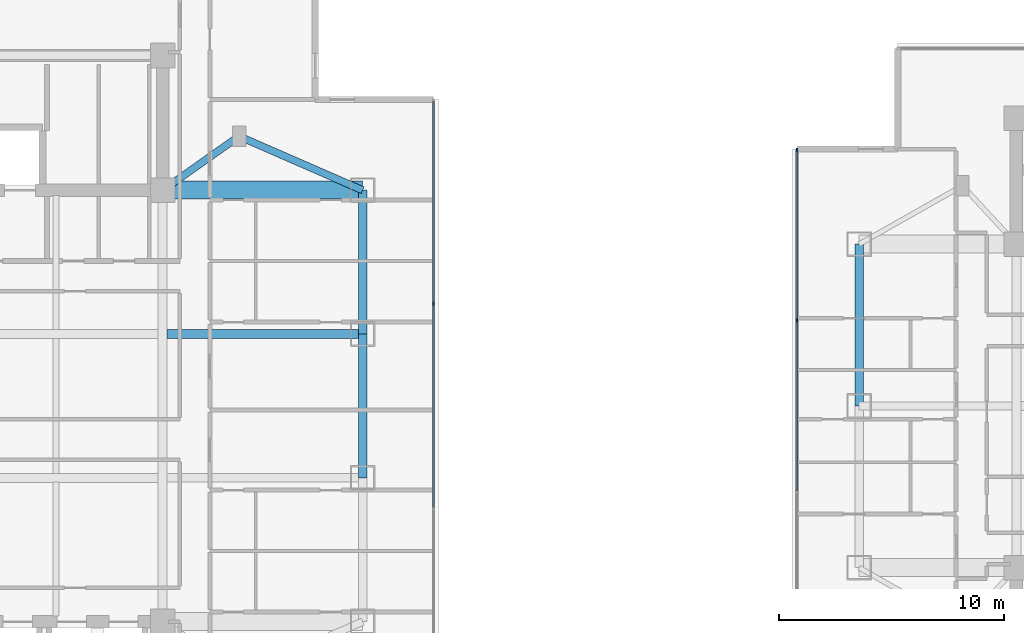
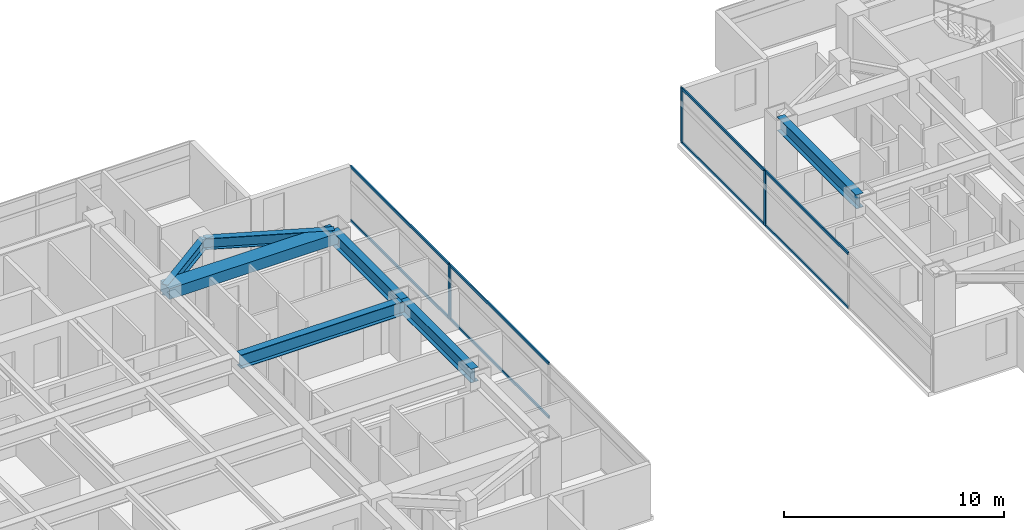
# One storey, part 5 of 24: 11 members, 7 beams, 2 elements without a shape of their own.
"""IFC4 building model written with IfcOpenShell, lengths in metres."""

from ifc_helpers import new_model, si_unit, direction, frame, origin, origin_2d, place, context, subcontext, project, spatial, rectangle, i_section, extrude, material, material_profile, profile_set, type_object, element, aggregate, save


model = new_model("IFC4")

# Units and contexts
model_context = context("Model", 3, precision=1e-05, world=origin(), true_north=direction((0.0, 1.0)))
body_context = subcontext(model_context, "Body", "Model", "MODEL_VIEW")
ifc_project = project(units=[si_unit("LENGTHUNIT", "METRE"), si_unit("AREAUNIT", "SQUARE_METRE"), si_unit("VOLUMEUNIT", "CUBIC_METRE"), si_unit("PLANEANGLEUNIT", "RADIAN"), si_unit("MASSUNIT", "GRAM", prefix="KILO")], contexts=[model_context])

# Site, building, storey
site_placement = place(None, origin())
site = spatial("IfcSite", under=ifc_project, at=site_placement, CompositionType="ELEMENT")
building_placement = place(site_placement, origin())
building = spatial("IfcBuilding", under=site, at=building_placement, Name="Mirazonda Arch Towers", CompositionType="ELEMENT")
storey_placement = place(building_placement, frame((0.0, 0.0, 137.89990234375)))
storey = spatial("IfcBuildingStorey", under=building, at=storey_placement, Name="L39", CompositionType="ELEMENT", Elevation=137.89990234375)

# Beams
ifc_material_1 = material(Name="Steel ASTM A992 Grade 50", Category="steel")
ifc_material_profile_1 = material_profile(ifc_material_1, i_section(OverallWidth=0.381103515625, OverallDepth=0.77294921875, WebThickness=0.0166015625, FlangeThickness=0.027099609375, at=origin_2d()), Name="W30X173")
ifc_profile_set_1 = profile_set([ifc_material_profile_1], Name="Steel ASTM A992 Grade 50")
beam_type_1 = type_object("IfcBeamType", Name="BM-EXT-W30X173", PredefinedType="USERDEFINED", material=ifc_profile_set_1)
beam_1_placement = place(storey_placement, frame((38.89990234375, 24.800048828125, 2.693603515625), z_axis=(0.0, 1.0, 0.0), x_axis=(-1.0, 0.0, 0.0)))
element("IfcBeam", 1, at=beam_1_placement, inside=storey, type_object=beam_type_1, Name="L39 Floor Beam BM-T1-L39-NS-E-24", ObjectType="GIRDER", PredefinedType="USERDEFINED", context=body_context, shape_type="SweptSolid", body=[
    extrude(i_section(OverallWidth=0.381103515625, OverallDepth=0.77294921875, WebThickness=0.0166015625, FlangeThickness=0.027099609375, at=origin_2d()), origin(), (0.0, 0.0, 1.0), 6.39990234375),
])
beam_2_placement = place(storey_placement, frame((38.89990234375, 31.199951171875, 2.693603515625), z_axis=(0.0, 1.0, 0.0), x_axis=(-1.0, 0.0, 0.0)))
element("IfcBeam", 2, at=beam_2_placement, inside=storey, type_object=beam_type_1, Name="L39 Floor Beam BM-T1-L39-NS-E-31", ObjectType="GIRDER", PredefinedType="USERDEFINED", context=body_context, shape_type="SweptSolid", body=[
    extrude(i_section(OverallWidth=0.381103515625, OverallDepth=0.77294921875, WebThickness=0.0166015625, FlangeThickness=0.027099609375, at=origin_2d()), origin(), (0.0, 0.0, 1.0), 6.400146484375),
])
beam_3_placement = place(storey_placement, frame((61.0, 28.0, 2.693603515625), z_axis=(0.0, 1.0, 0.0), x_axis=(-1.0, 0.0, 0.0)))
element("IfcBeam", 3, at=beam_3_placement, inside=storey, type_object=beam_type_1, Name="L39 Floor Beam BM-T2-L39-NS-W-28", ObjectType="GIRDER", PredefinedType="USERDEFINED", context=body_context, shape_type="SweptSolid", body=[
    extrude(i_section(OverallWidth=0.381103515625, OverallDepth=0.77294921875, WebThickness=0.0166015625, FlangeThickness=0.027099609375, at=origin_2d()), origin(), (0.0, 0.0, 1.0), 7.199951171875),
])
ifc_material_profile_2 = material_profile(ifc_material_1, i_section(OverallWidth=0.324951171875, OverallDepth=0.615966796875, WebThickness=0.013916015625, FlangeThickness=0.021484375, at=origin_2d()), Name="W24X117")
ifc_profile_set_2 = profile_set([ifc_material_profile_2], Name="Steel ASTM A992 Grade 50")
beam_type_2 = type_object("IfcBeamType", Name="BM-INT-W24X117", PredefinedType="BEAM", material=ifc_profile_set_2)
beam_4_placement = place(storey_placement, frame((33.39990234375, 40.0, 2.772216796875), z_axis=(-0.816971114901, -0.576678591087, 0.0), x_axis=(0.576678591087, -0.816971114901, 0.0)))
element("IfcBeam", 4, at=beam_4_placement, inside=storey, type_object=beam_type_2, Name="L39 Floor Beam BM-T1-L39-PL-NE1", PredefinedType="BEAM", context=body_context, shape_type="SweptSolid", body=[
    extrude(i_section(OverallWidth=0.324951171875, OverallDepth=0.615966796875, WebThickness=0.013916015625, FlangeThickness=0.021484375, at=origin_2d()), origin(), (0.0, 0.0, 1.0), 4.16162109375),
])
beam_5_placement = place(storey_placement, frame((33.39990234375, 40.0, 2.772216796875), z_axis=(0.916545343703, -0.399930785183, 0.0), x_axis=(0.399930785183, 0.916545343703, 0.0)))
element("IfcBeam", 5, at=beam_5_placement, inside=storey, type_object=beam_type_2, Name="L39 Floor Beam BM-T1-L39-PL-NE2", PredefinedType="BEAM", context=body_context, shape_type="SweptSolid", body=[
    extrude(i_section(OverallWidth=0.324951171875, OverallDepth=0.615966796875, WebThickness=0.013916015625, FlangeThickness=0.021484375, at=origin_2d()), origin(), (0.0, 0.0, 1.0), 6.000732421875),
])
ifc_material_profile_3 = material_profile(ifc_material_1, i_section(OverallWidth=0.381103515625, OverallDepth=0.77294921875, WebThickness=0.0166015625, FlangeThickness=0.027099609375, at=origin_2d()), Name="W30X173")
ifc_profile_set_3 = profile_set([ifc_material_profile_3], Name="Steel ASTM A992 Grade 50")
beam_type_3 = type_object("IfcBeamType", Name="BM-INT-W30X173", PredefinedType="USERDEFINED", material=ifc_profile_set_3)
beam_6_placement = place(storey_placement, frame((30.199951171875, 31.199951171875, 2.693603515625), z_axis=(1.0, 0.0, 0.0), x_axis=(0.0, 1.0, 0.0)))
element("IfcBeam", 6, at=beam_6_placement, inside=storey, type_object=beam_type_3, Name="L39 Floor Beam BM-T1-L39-GE3", ObjectType="GIRDER", PredefinedType="USERDEFINED", context=body_context, shape_type="SweptSolid", body=[
    extrude(i_section(OverallWidth=0.381103515625, OverallDepth=0.77294921875, WebThickness=0.0166015625, FlangeThickness=0.027099609375, at=origin_2d()), origin(), (0.0, 0.0, 1.0), 8.699951171875),
])
ifc_material_2 = material(Name="Concrete C60/75", Category="concrete")
ifc_material_profile_4 = material_profile(ifc_material_2, rectangle(XDim=0.800048828125, YDim=0.60009765625, at=origin_2d()), Name="RCCB800x600")
ifc_profile_set_4 = profile_set([ifc_material_profile_4], Name="Concrete C60/75")
beam_type_4 = type_object("IfcBeamType", Name="CB-INT-RCCB800x600", PredefinedType="SPANDREL", material=ifc_profile_set_4)
beam_7_placement = place(storey_placement, frame((30.0, 37.60009765625, 2.780029296875), z_axis=(1.0, 0.0, 0.0), x_axis=(0.0, 1.0, 0.0)))
element("IfcBeam", 7, at=beam_7_placement, inside=storey, type_object=beam_type_4, Name="L39 Floor Beam CBC-T1-L39-NE", PredefinedType="SPANDREL", context=body_context, shape_type="SweptSolid", body=[
    extrude(rectangle(XDim=0.800048828125, YDim=0.60009765625, at=origin_2d()), origin(), (0.0, 0.0, 1.0), 8.89990234375),
])

# Curtain wall, member
ifc_material_3 = material(Name="Anodised Aluminium and Low-E Glass", Category="aluminium")
curtain_wall_type = type_object("IfcCurtainWallType", Name="CW-HTL-UNIT", PredefinedType="NOTDEFINED", material=ifc_material_3)
curtain_wall_1_placement = place(storey_placement, origin())
curtain_wall_1 = element("IfcCurtainWall", 8, at=curtain_wall_1_placement, inside=storey, type_object=curtain_wall_type, Name="L39 T1 E Facade CW-L39-T1-E", PredefinedType="NOTDEFINED")
ifc_material_4 = material(Name="Anodised Aluminium Alloy", Category="aluminium")
ifc_material_profile_5 = material_profile(ifc_material_4, rectangle(XDim=0.074951171875, YDim=0.1650390625, at=origin_2d()), Name="ALU-MULL-75x165")
ifc_profile_set_5 = profile_set([ifc_material_profile_5], Name="Anodised Aluminium Alloy")
member_type_1 = type_object("IfcMemberType", Name="MULL-CW-HTL-UNIT", PredefinedType="MULLION", material=ifc_profile_set_5)
member_1_placement = place(storey_placement, frame((42.06005859375, 32.5458984375, 0.0), z_axis=(0.0, 0.0, 1.0), x_axis=(-1.0, 0.0, 0.0)))
member_1 = element("IfcMember", 9, at=member_1_placement, type_object=member_type_1, Name="CW-112 mullion 3", PredefinedType="MULLION", context=body_context, shape_type="SweptSolid", body=[
    extrude(rectangle(XDim=0.074951171875, YDim=0.1650390625, at=origin_2d()), origin(), (0.0, 0.0, 1.0), 3.06005859375),
])

# Curtain wall, members
curtain_wall_2_placement = place(storey_placement, origin())
curtain_wall_2 = element("IfcCurtainWall", 10, at=curtain_wall_2_placement, inside=storey, type_object=curtain_wall_type, Name="L39 T2 W Facade CW-L39-T2-W", PredefinedType="NOTDEFINED")
member_2_placement = place(storey_placement, frame((58.22705078125, 39.394775390625, 0.0), z_axis=(0.0, 0.0, 1.0), x_axis=(1.0, 0.0, 0.0)))
member_2 = element("IfcMember", 11, at=member_2_placement, type_object=member_type_1, Name="CW-112 mullion 1", PredefinedType="MULLION", context=body_context, shape_type="SweptSolid", body=[
    extrude(rectangle(XDim=0.074951171875, YDim=0.1650390625, at=origin_2d()), origin(), (0.0, 0.0, 1.0), 3.06005859375),
])
member_3_placement = place(storey_placement, frame((58.22705078125, 31.810791015625, 0.0), z_axis=(0.0, 0.0, 1.0), x_axis=(1.0, 0.0, 0.0)))
member_3 = element("IfcMember", 12, at=member_3_placement, type_object=member_type_1, Name="CW-112 mullion 2", PredefinedType="MULLION", context=body_context, shape_type="SweptSolid", body=[
    extrude(rectangle(XDim=0.074951171875, YDim=0.1650390625, at=origin_2d()), origin(), (0.0, 0.0, 1.0), 3.06005859375),
])

# Member
ifc_material_profile_6 = material_profile(ifc_material_4, rectangle(XDim=0.074951171875, YDim=0.14501953125, at=origin_2d()), Name="ALU-TRAN-75x145")
ifc_profile_set_6 = profile_set([ifc_material_profile_6], Name="Anodised Aluminium Alloy")
member_type_2 = type_object("IfcMemberType", Name="TRAN-CW-HTL-UNIT", PredefinedType="USERDEFINED", material=ifc_profile_set_6)
member_4_placement = place(storey_placement, frame((42.06005859375, 23.491455078125, 0.03759765625), z_axis=(0.0, 1.0, 0.0), x_axis=(-1.0, 0.0, 0.0)))
member_4 = element("IfcMember", 13, at=member_4_placement, type_object=member_type_2, Name="CW-112 transom 2.1", ObjectType="TRANSOM", PredefinedType="USERDEFINED", context=body_context, shape_type="SweptSolid", body=[
    extrude(rectangle(XDim=0.074951171875, YDim=0.14501953125, at=origin_2d()), origin(), (0.0, 0.0, 1.0), 9.01708984375),
])

member_5_placement = place(storey_placement, frame((42.06005859375, 23.491455078125, 3.022705078125), z_axis=(0.0, 1.0, 0.0), x_axis=(-1.0, 0.0, 0.0)))
member_5 = element("IfcMember", 14, at=member_5_placement, type_object=member_type_2, Name="CW-112 transom 2.2", ObjectType="TRANSOM", PredefinedType="USERDEFINED", context=body_context, shape_type="SweptSolid", body=[
    extrude(rectangle(XDim=0.074951171875, YDim=0.14501953125, at=origin_2d()), origin(), (0.0, 0.0, 1.0), 9.01708984375),
])

member_6_placement = place(storey_placement, frame((42.06005859375, 32.58349609375, 0.03759765625), z_axis=(0.0, 1.0, 0.0), x_axis=(-1.0, 0.0, 0.0)))
member_6 = element("IfcMember", 15, at=member_6_placement, type_object=member_type_2, Name="CW-112 transom 3.1", ObjectType="TRANSOM", PredefinedType="USERDEFINED", context=body_context, shape_type="SweptSolid", body=[
    extrude(rectangle(XDim=0.074951171875, YDim=0.14501953125, at=origin_2d()), origin(), (0.0, 0.0, 1.0), 8.9794921875),
])

member_7_placement = place(storey_placement, frame((42.06005859375, 32.58349609375, 3.022705078125), z_axis=(0.0, 1.0, 0.0), x_axis=(-1.0, 0.0, 0.0)))
member_7 = element("IfcMember", 16, at=member_7_placement, type_object=member_type_2, Name="CW-112 transom 3.2", ObjectType="TRANSOM", PredefinedType="USERDEFINED", context=body_context, shape_type="SweptSolid", body=[
    extrude(rectangle(XDim=0.074951171875, YDim=0.14501953125, at=origin_2d()), origin(), (0.0, 0.0, 1.0), 8.9794921875),
])

aggregate(curtain_wall_1, [member_1, member_4, member_5, member_6, member_7])

member_8_placement = place(storey_placement, frame((58.22705078125, 39.357421875, 0.03759765625), z_axis=(0.0, -1.0, 0.0), x_axis=(1.0, 0.0, 0.0)))
member_8 = element("IfcMember", 17, at=member_8_placement, type_object=member_type_2, Name="CW-112 transom 1.1", ObjectType="TRANSOM", PredefinedType="USERDEFINED", context=body_context, shape_type="SweptSolid", body=[
    extrude(rectangle(XDim=0.074951171875, YDim=0.14501953125, at=origin_2d()), origin(), (0.0, 0.0, 1.0), 7.509033203125),
])

member_9_placement = place(storey_placement, frame((58.22705078125, 39.357421875, 3.022705078125), z_axis=(0.0, -1.0, 0.0), x_axis=(1.0, 0.0, 0.0)))
member_9 = element("IfcMember", 18, at=member_9_placement, type_object=member_type_2, Name="CW-112 transom 1.2", ObjectType="TRANSOM", PredefinedType="USERDEFINED", context=body_context, shape_type="SweptSolid", body=[
    extrude(rectangle(XDim=0.074951171875, YDim=0.14501953125, at=origin_2d()), origin(), (0.0, 0.0, 1.0), 7.509033203125),
])

member_10_placement = place(storey_placement, frame((58.22705078125, 31.773193359375, 0.03759765625), z_axis=(0.0, -1.0, 0.0), x_axis=(1.0, 0.0, 0.0)))
member_10 = element("IfcMember", 19, at=member_10_placement, type_object=member_type_2, Name="CW-112 transom 2.1", ObjectType="TRANSOM", PredefinedType="USERDEFINED", context=body_context, shape_type="SweptSolid", body=[
    extrude(rectangle(XDim=0.074951171875, YDim=0.14501953125, at=origin_2d()), origin(), (0.0, 0.0, 1.0), 7.54638671875),
])

member_11_placement = place(storey_placement, frame((58.22705078125, 31.773193359375, 3.022705078125), z_axis=(0.0, -1.0, 0.0), x_axis=(1.0, 0.0, 0.0)))
member_11 = element("IfcMember", 20, at=member_11_placement, type_object=member_type_2, Name="CW-112 transom 2.2", ObjectType="TRANSOM", PredefinedType="USERDEFINED", context=body_context, shape_type="SweptSolid", body=[
    extrude(rectangle(XDim=0.074951171875, YDim=0.14501953125, at=origin_2d()), origin(), (0.0, 0.0, 1.0), 7.54638671875),
])

aggregate(curtain_wall_2, [member_2, member_3, member_8, member_9, member_10, member_11])

save(model, "model.ifc")
